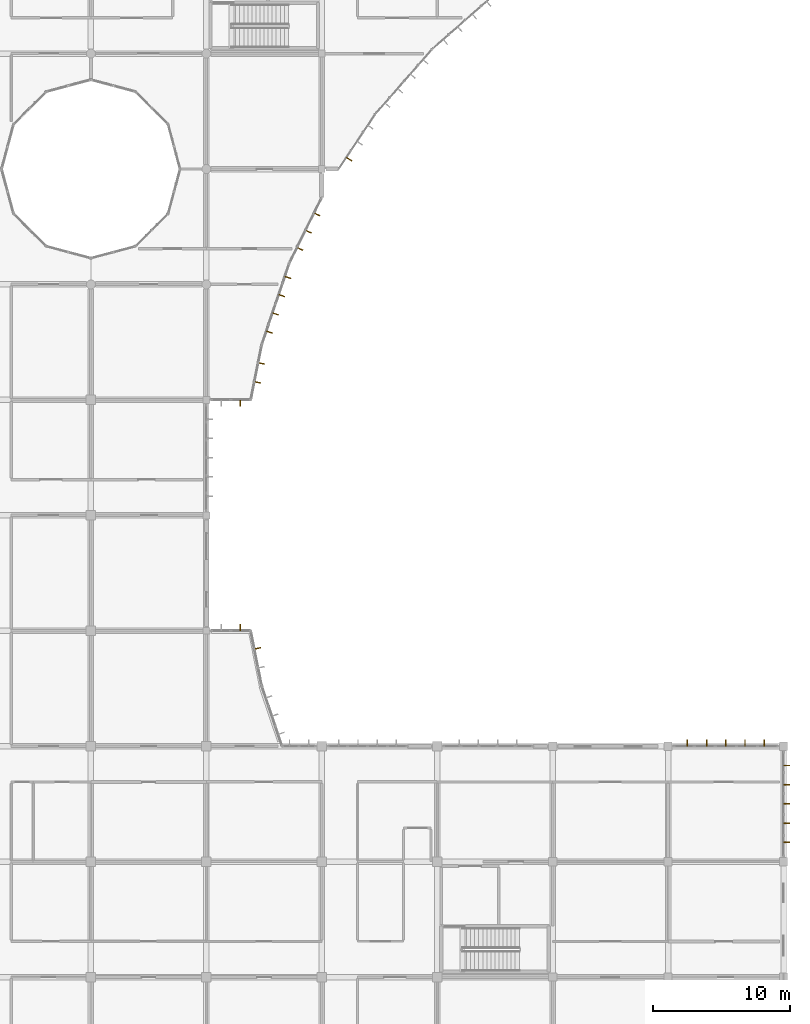
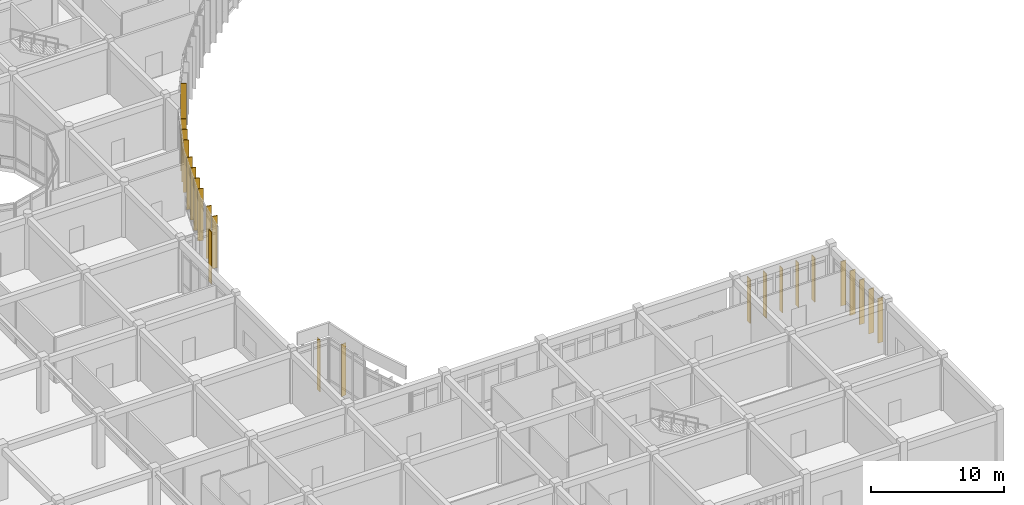
# One storey, part 130 of 134: 23 shading devices.
"""IFC4 building model written with IfcOpenShell, lengths in metres."""

from ifc_helpers import new_model, si_unit, direction, frame, origin, origin_2d, place, context, subcontext, project, spatial, rectangle, extrude, material, material_profile, profile_set, type_object, element, save


model = new_model("IFC4")

# Units and contexts
model_context = context("Model", 3, precision=1e-05, world=origin(), true_north=direction((0.0, 1.0)))
body_context = subcontext(model_context, "Body", "Model", "MODEL_VIEW")
ifc_project = project(units=[si_unit("LENGTHUNIT", "METRE"), si_unit("AREAUNIT", "SQUARE_METRE"), si_unit("VOLUMEUNIT", "CUBIC_METRE"), si_unit("PLANEANGLEUNIT", "RADIAN"), si_unit("MASSUNIT", "GRAM", prefix="KILO")], contexts=[model_context])

# Site, building, storey
site_placement = place(None, origin())
site = spatial("IfcSite", under=ifc_project, at=site_placement, CompositionType="ELEMENT")
building_placement = place(site_placement, origin())
building = spatial("IfcBuilding", under=site, at=building_placement, Name="Bramfleet General Hospital", CompositionType="ELEMENT")
storey_placement = place(building_placement, frame((0.0, 0.0, 9.300048828125)))
storey = spatial("IfcBuildingStorey", under=building, at=storey_placement, Name="L02", CompositionType="ELEMENT", Elevation=9.300048828125)

# Shading devices
ifc_material = material(Name="Treated European larch timber", Category="wood")
ifc_material_profile = material_profile(ifc_material, rectangle(XDim=0.06494140625, YDim=0.449951171875, at=origin_2d()), Name="LARCH FIN 450x65")
ifc_profile_set = profile_set([ifc_material_profile], Name="Treated European larch timber")
shading_device_type = type_object("IfcShadingDeviceType", Name="SHD-FIN-450", PredefinedType="USERDEFINED", material=ifc_profile_set)
for number, where, z_axis, x_axis, name in (
    (1, (136.39794921875, 67.9130859375, -0.02001953125), (0.0, 0.0, 1.0), (-0.555463530135, -0.831540898988, 0.0), "L02 Larch Timber Shading Fin 425"),
    (2, (134.0615234375, 63.89697265625, -0.02001953125), (0.0, 0.0, 1.0), (-0.442304948782, -0.896864723513, 0.0), "L02 Larch Timber Shading Fin 426"),
    (3, (133.442138671875, 62.641357421875, -0.02001953125), (0.0, 0.0, 1.0), (-0.442304948782, -0.896864723513, 0.0), "L02 Larch Timber Shading Fin 427"),
    (4, (132.822998046875, 61.3857421875, -0.02001953125), (0.0, 0.0, 1.0), (-0.442304948782, -0.896864723513, 0.0), "L02 Larch Timber Shading Fin 428"),
    (5, (131.947265625, 59.3076171875, -0.02001953125), (0.0, 0.0, 1.0), (-0.321383054181, -0.946949276617, 0.0), "L02 Larch Timber Shading Fin 429"),
    (6, (131.497314453125, 57.981689453125, -0.02001953125), (0.0, 0.0, 1.0), (-0.321383054181, -0.946949276617, 0.0), "L02 Larch Timber Shading Fin 430"),
    (7, (131.04736328125, 56.656005859375, -0.02001953125), (0.0, 0.0, 1.0), (-0.321383054181, -0.946949276617, 0.0), "L02 Larch Timber Shading Fin 431"),
    (8, (130.597412109375, 55.330322265625, -0.02001953125), (0.0, 0.0, 1.0), (-0.321383054181, -0.946949276617, 0.0), "L02 Larch Timber Shading Fin 432"),
    (9, (130.007568359375, 53.05126953125, -0.02001953125), (0.0, 0.0, 1.0), (-0.195272189606, -0.980749087161, 0.0), "L02 Larch Timber Shading Fin 433"),
    (10, (129.734130859375, 51.677978515625, -0.02001953125), (0.0, 0.0, 1.0), (-0.195272189606, -0.980749087161, 0.0), "L02 Larch Timber Shading Fin 434"),
    (11, (128.47998046875, 50.159912109375, -0.02001953125), (0.0, 0.0, 1.0), (-1.0, 0.0, 0.0), "L02 Larch Timber Shading Fin 435"),
    (12, (128.47998046875, 33.840087890625, -0.02001953125), (0.0, 0.0, 1.0), (1.0, 0.0, 0.0), "L02 Larch Timber Shading Fin 443"),
    (13, (129.734130859375, 32.322021484375, -0.02001953125), (0.0, 0.0, 1.0), (0.195272189606, -0.980749087161, 0.0), "L02 Larch Timber Shading Fin 444"),
):
    element("IfcShadingDevice", number, at=place(storey_placement, frame(where, z_axis=z_axis, x_axis=x_axis)), inside=storey, type_object=shading_device_type, Name=name, ObjectType="Fin", PredefinedType="USERDEFINED", context=body_context, shape_type="SweptSolid", body=[
        extrude(rectangle(XDim=0.06494140625, YDim=0.449951171875, at=origin_2d()), origin(), (0.0, 0.0, 1.0), 4.800048828125),
    ])
for number, where, z_axis, x_axis, name in (
    (14, (161.0, 25.43994140625, -0.02001953125), (0.0, 0.0, 1.0), (1.0, 0.0, 0.0), "L02 Larch Timber Shading Fin 459"),
    (15, (162.39990234375, 25.43994140625, -0.02001953125), (0.0, 0.0, 1.0), (1.0, 0.0, 0.0), "L02 Larch Timber Shading Fin 460"),
    (16, (163.800048828125, 25.43994140625, -0.02001953125), (0.0, 0.0, 1.0), (1.0, 0.0, 0.0), "L02 Larch Timber Shading Fin 461"),
    (17, (165.199951171875, 25.43994140625, -0.02001953125), (0.0, 0.0, 1.0), (1.0, 0.0, 0.0), "L02 Larch Timber Shading Fin 462"),
    (18, (166.60009765625, 25.43994140625, -0.02001953125), (0.0, 0.0, 1.0), (1.0, 0.0, 0.0), "L02 Larch Timber Shading Fin 463"),
    (19, (168.239990234375, 23.800048828125, -0.02001953125), (0.0, 0.0, 1.0), (0.0, -1.0, 0.0), "L02 Larch Timber Shading Fin 464"),
    (20, (168.239990234375, 22.39990234375, -0.02001953125), (0.0, 0.0, 1.0), (0.0, -1.0, 0.0), "L02 Larch Timber Shading Fin 465"),
    (21, (168.239990234375, 21.0, -0.02001953125), (0.0, 0.0, 1.0), (0.0, -1.0, 0.0), "L02 Larch Timber Shading Fin 466"),
    (22, (168.239990234375, 19.60009765625, -0.02001953125), (0.0, 0.0, 1.0), (0.0, -1.0, 0.0), "L02 Larch Timber Shading Fin 467"),
    (23, (168.239990234375, 18.199951171875, -0.02001953125), (0.0, 0.0, 1.0), (0.0, -1.0, 0.0), "L02 Larch Timber Shading Fin 468"),
):
    element("IfcShadingDevice", number, at=place(storey_placement, frame(where, z_axis=z_axis, x_axis=x_axis)), inside=storey, type_object=shading_device_type, Name=name, ObjectType="Fin", PredefinedType="USERDEFINED", context=body_context, shape_type="SweptSolid", body=[
        extrude(rectangle(XDim=0.06494140625, YDim=0.449951171875, at=origin_2d()), origin(), (0.0, 0.0, 1.0), 4.099853515625),
    ])

save(model, "model.ifc")
